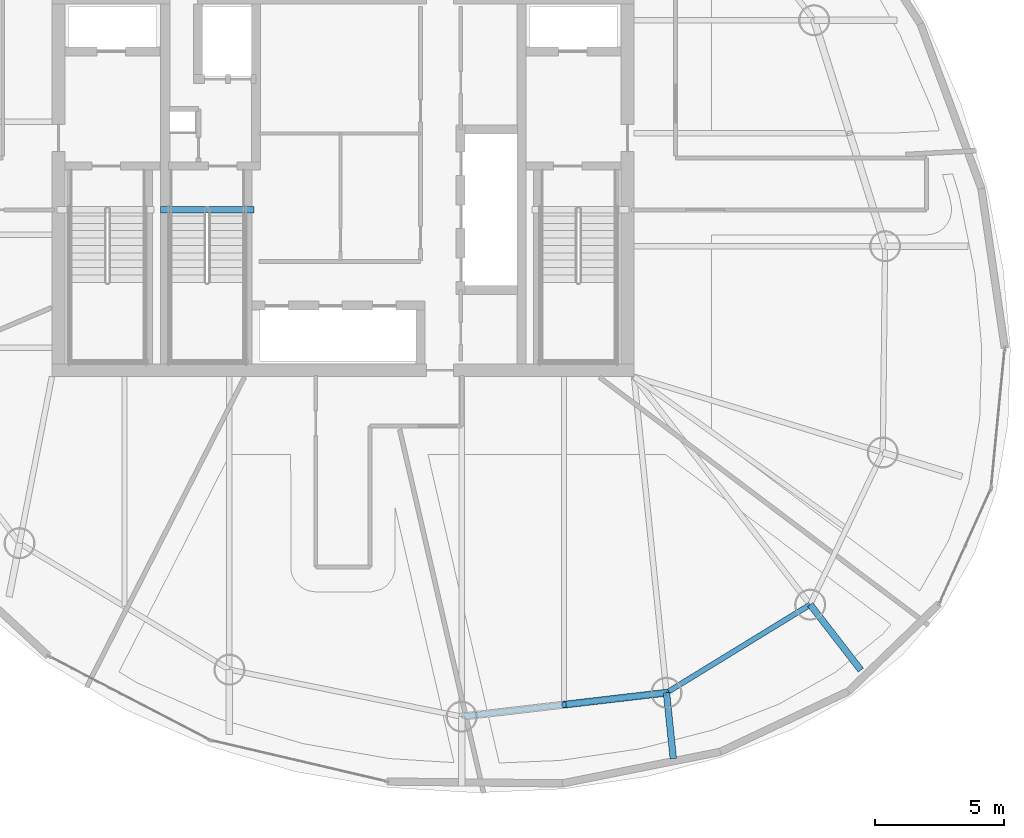
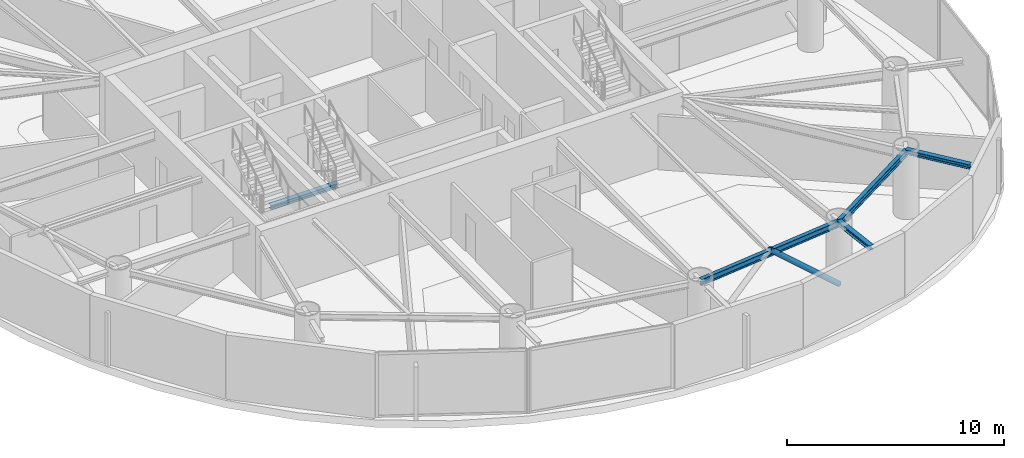
# One storey, part 6 of 25: 5 beams, 1 member.
"""IFC4 building model written with IfcOpenShell, lengths in metres."""

from ifc_helpers import new_model, si_unit, direction, frame, origin, origin_2d, place, context, subcontext, project, spatial, hollow_circle, i_section, extrude, material, material_profile, profile_set, type_object, element, save


model = new_model("IFC4")

# Units and contexts
model_context = context("Model", 3, precision=1e-05, world=origin(), true_north=direction((0.0, 1.0)))
body_context = subcontext(model_context, "Body", "Model", "MODEL_VIEW")
ifc_project = project(units=[si_unit("LENGTHUNIT", "METRE"), si_unit("AREAUNIT", "SQUARE_METRE"), si_unit("VOLUMEUNIT", "CUBIC_METRE"), si_unit("PLANEANGLEUNIT", "RADIAN"), si_unit("MASSUNIT", "GRAM", prefix="KILO")], contexts=[model_context])

# Site, building, storey
site_placement = place(None, origin())
site = spatial("IfcSite", under=ifc_project, at=site_placement, CompositionType="ELEMENT")
building_placement = place(site_placement, origin())
building = spatial("IfcBuilding", under=site, at=building_placement, Name="Bramvorn Convention Spire", CompositionType="ELEMENT")
storey_placement = place(building_placement, frame((0.0, 0.0, 171.199951171875)))
storey = spatial("IfcBuildingStorey", under=building, at=storey_placement, Name="L43", CompositionType="ELEMENT", Elevation=171.199951171875)

# Beams
ifc_material = material(Name="Steel CSA G40.21 Grade 350 (350W)", Category="steel")
ifc_material_profile_1 = material_profile(ifc_material, i_section(OverallWidth=0.25390625, OverallDepth=0.2529296875, WebThickness=0.008544921875, FlangeThickness=0.01416015625, FilletRadius=0.011962890625, at=origin_2d()))
ifc_profile_set_1 = profile_set([ifc_material_profile_1], Name="Steel CSA G40.21 Grade 350 (350W) - W250X73")
beam_type_1 = type_object("IfcBeamType", Name="BM-W250X73", PredefinedType="BEAM", material=ifc_profile_set_1)
beam_1_placement = place(storey_placement, frame((56.058349609375, 9.739990234375, 3.49365234375), z_axis=(0.611497441422, -0.791246408607, 0.0), x_axis=(0.791246408607, 0.611497441422, 0.0)))
element("IfcBeam", 1, at=beam_1_placement, inside=storey, type_object=beam_type_1, Name="L43 slab-edge cantilever tip beam MC01", PredefinedType="BEAM", context=body_context, shape_type="SweptSolid", body=[
    extrude(i_section(OverallWidth=0.25390625, OverallDepth=0.2529296875, WebThickness=0.008544921875, FlangeThickness=0.01416015625, FilletRadius=0.011962890625, at=origin_2d()), origin(), (0.0, 0.0, 1.0), 3.199951171875),
])
beam_2_placement = place(storey_placement, frame((50.50439453125, 6.336181640625, 3.49365234375), z_axis=(0.102183659424, -0.994765550141, 0.0), x_axis=(0.994765550141, 0.102183659424, 0.0)))
element("IfcBeam", 2, at=beam_2_placement, inside=storey, type_object=beam_type_1, Name="L43 slab-edge cantilever tip beam MC16", PredefinedType="BEAM", context=body_context, shape_type="SweptSolid", body=[
    extrude(i_section(OverallWidth=0.25390625, OverallDepth=0.2529296875, WebThickness=0.008544921875, FlangeThickness=0.01416015625, FilletRadius=0.011962890625, at=origin_2d()), origin(), (0.0, 0.0, 1.0), 2.561279296875),
])
beam_3_placement = place(storey_placement, frame((30.949951171875, 25.010009765625, -0.12646484375), z_axis=(1.0, 0.0, 0.0), x_axis=(0.0, 1.0, 0.0)))
element("IfcBeam", 3, at=beam_3_placement, inside=storey, type_object=beam_type_1, Name="L43 ST3 stair arrival header beam", PredefinedType="BEAM", context=body_context, shape_type="SweptSolid", body=[
    extrude(i_section(OverallWidth=0.25390625, OverallDepth=0.2529296875, WebThickness=0.008544921875, FlangeThickness=0.01416015625, FilletRadius=0.011962890625, at=origin_2d()), origin(), (0.0, 0.0, 1.0), 3.610107421875),
])
ifc_material_profile_2 = material_profile(ifc_material, i_section(OverallWidth=0.205078125, OverallDepth=0.35400390625, WebThickness=0.009521484375, FlangeThickness=0.016845703125, FilletRadius=0.014892578125, at=origin_2d()))
ifc_profile_set_2 = profile_set([ifc_material_profile_2], Name="Steel CSA G40.21 Grade 350 (350W) - W360X79")
beam_type_2 = type_object("IfcBeamType", Name="BM-W360X79", PredefinedType="JOIST", material=ifc_profile_set_2)
beam_4_placement = place(storey_placement, frame((42.583740234375, 5.41162109375, 3.443115234375), z_axis=(0.993256148339, 0.115940604561, 0.0), x_axis=(-0.115940604561, 0.993256148339, 0.0)))
element("IfcBeam", 4, at=beam_4_placement, inside=storey, type_object=beam_type_2, Name="L43 mega-column ring beam 15", PredefinedType="JOIST", context=body_context, shape_type="SweptSolid", body=[
    extrude(i_section(OverallWidth=0.205078125, OverallDepth=0.35400390625, WebThickness=0.009521484375, FlangeThickness=0.016845703125, FilletRadius=0.014892578125, at=origin_2d()), origin(), (0.0, 0.0, 1.0), 7.974365234375),
])
beam_5_placement = place(storey_placement, frame((50.50439453125, 6.336181640625, 3.443115234375), z_axis=(0.852616873135, 0.522536570629, 0.0), x_axis=(-0.522536570629, 0.852616873135, 0.0)))
element("IfcBeam", 5, at=beam_5_placement, inside=storey, type_object=beam_type_2, Name="L43 mega-column ring beam 16", PredefinedType="JOIST", context=body_context, shape_type="SweptSolid", body=[
    extrude(i_section(OverallWidth=0.205078125, OverallDepth=0.35400390625, WebThickness=0.009521484375, FlangeThickness=0.016845703125, FilletRadius=0.014892578125, at=origin_2d()), origin(), (0.0, 0.0, 1.0), 6.513916015625),
])

# Member
ifc_material_profile_3 = material_profile(ifc_material, hollow_circle(Radius=0.136474609375, WallThickness=0.0126953125, at=origin_2d()))
ifc_profile_set_3 = profile_set([ifc_material_profile_3], Name="Steel CSA G40.21 Grade 350 (350W) - CHS273X13")
member_type = type_object("IfcMemberType", Name="MBR-CHS273X13", PredefinedType="BRACE", material=ifc_profile_set_3)
member_placement = place(storey_placement, frame((50.50439453125, 6.336181640625, 0.0), z_axis=(-0.735365466565, -0.085817571556, 0.672214976772), x_axis=(0.115913925363, -0.99325926218, 0.0)))
element("IfcMember", 6, at=member_placement, inside=storey, type_object=member_type, Name="L43 perimeter Gothic lancet brace 15B", PredefinedType="BRACE", context=body_context, shape_type="SweptSolid", body=[
    extrude(hollow_circle(Radius=0.136474609375, WallThickness=0.0126953125, at=origin_2d()), origin(), (0.0, 0.0, 1.0), 5.38525390625),
])

save(model, "model.ifc")
